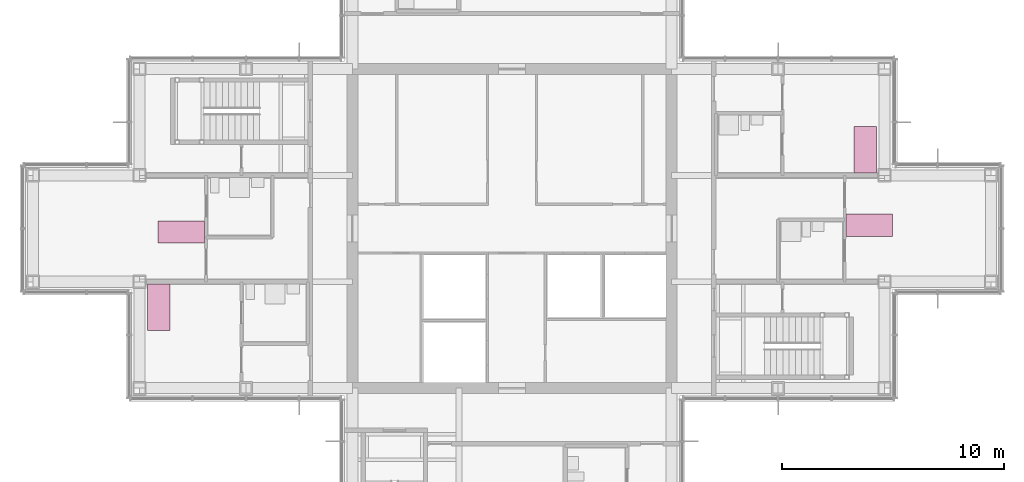
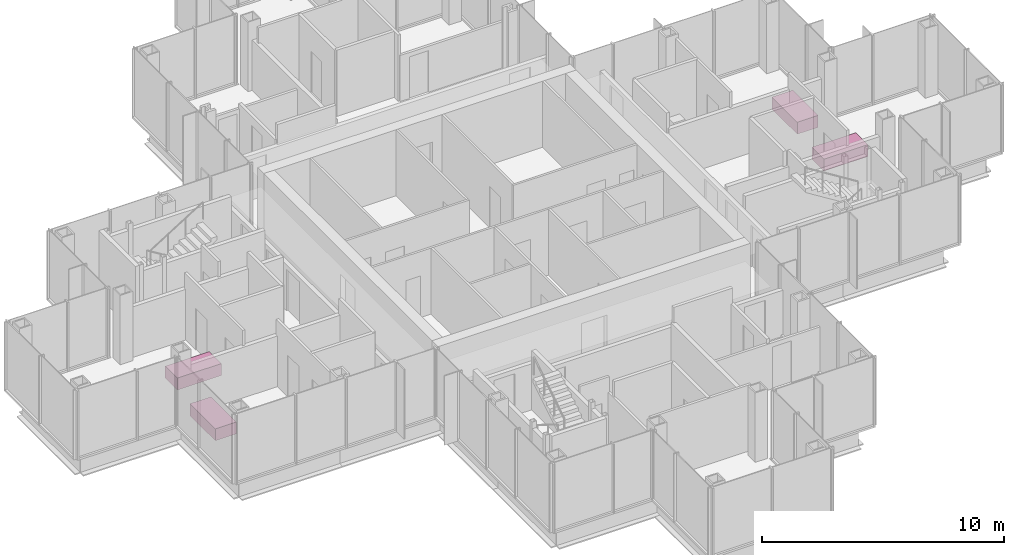
# One storey, part 17 of 17: 4 furniture elements.
"""IFC4 building model written with IfcOpenShell, lengths in metres."""

from ifc_helpers import new_model, si_unit, direction, frame, origin, origin_2d, place, context, subcontext, project, spatial, rectangle, extrude, material, type_object, element, save


model = new_model("IFC4")

# Units and contexts
model_context = context("Model", 3, precision=1e-05, world=origin(), true_north=direction((0.0, 1.0)))
body_context = subcontext(model_context, "Body", "Model", "MODEL_VIEW")
ifc_project = project(units=[si_unit("LENGTHUNIT", "METRE"), si_unit("AREAUNIT", "SQUARE_METRE"), si_unit("VOLUMEUNIT", "CUBIC_METRE"), si_unit("PLANEANGLEUNIT", "RADIAN"), si_unit("MASSUNIT", "GRAM", prefix="KILO")], contexts=[model_context])

# Site, building, storey
site_placement = place(None, origin())
site = spatial("IfcSite", under=ifc_project, at=site_placement, CompositionType="ELEMENT")
building_placement = place(site_placement, origin())
building = spatial("IfcBuilding", under=site, at=building_placement, Name="Kvirike Care Tower", CompositionType="ELEMENT")
storey_placement = place(building_placement, frame((0.0, 0.0, 169.0)))
storey = spatial("IfcBuildingStorey", under=building, at=storey_placement, Name="L46", CompositionType="ELEMENT", Elevation=169.0)

# Furniture
ifc_material = material(Name="Steel frame", Category="steel")
furniture_type = type_object("IfcFurnitureType", Name="CARE BED 1000 x 2100", AssemblyPlace="FACTORY", PredefinedType="BED", material=ifc_material)
for number, where, z_axis, x_axis, name in (
    (1, (6.68798828125, 35.85009765625, 0.0), (0.0, 0.0, 1.0), (0.0, -1.0, 0.0), "Care bed L46-005"),
    (2, (5.669921875, 32.447998046875, 0.0), (0.0, 0.0, 1.0), (1.0, 0.0, 0.0), "Care bed L46-008"),
    (3, (37.7119140625, 36.14990234375, 0.0), (0.0, 0.0, 1.0), (0.0, 1.0, 0.0), "Care bed L46-030"),
    (4, (37.530029296875, 39.552001953125, 0.0), (0.0, 0.0, 1.0), (-1.0, 0.0, 0.0), "Care bed L46-033"),
):
    element("IfcFurniture", number, at=place(storey_placement, frame(where, z_axis=z_axis, x_axis=x_axis)), inside=storey, type_object=furniture_type, Name=name, PredefinedType="BED", context=body_context, shape_type="SweptSolid", body=[
        extrude(rectangle(XDim=1.0, YDim=2.10009765625, at=origin_2d()), origin(), (0.0, 0.0, 1.0), 0.60009765625),
    ])

save(model, "model.ifc")
